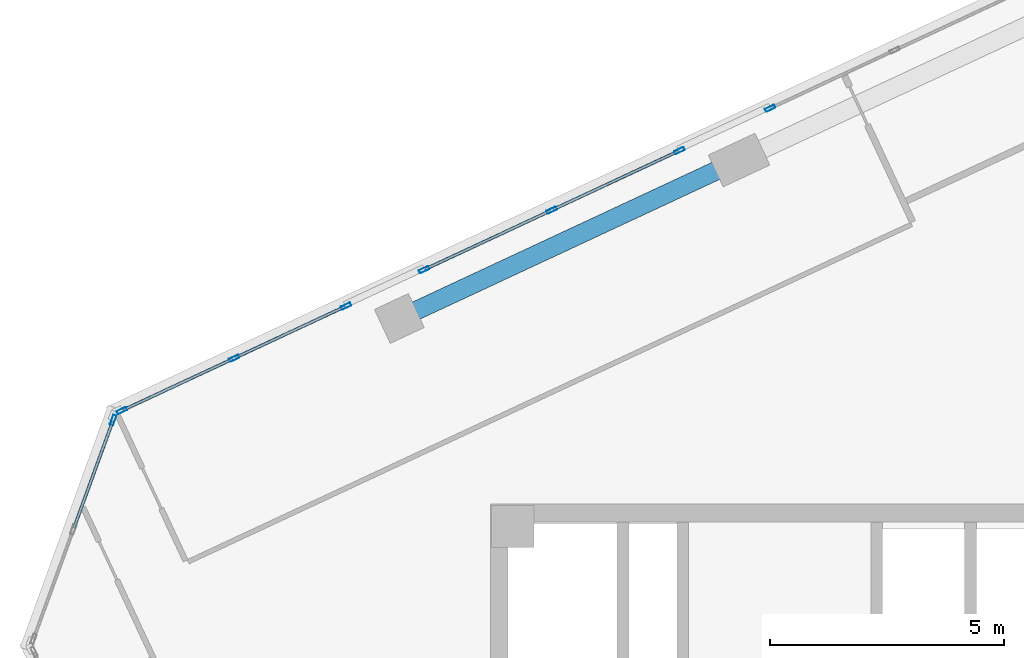
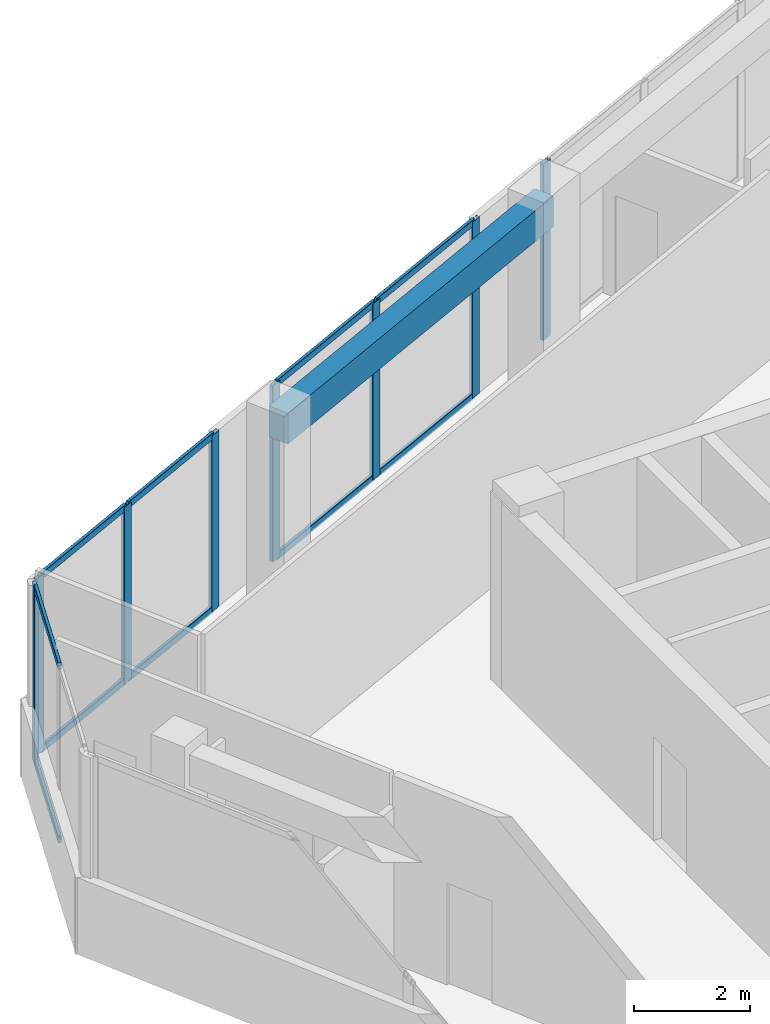
# One storey, part 9 of 17: 18 members, 1 beam, 4 elements without a shape of their own.
"""IFC4 building model written with IfcOpenShell, lengths in metres."""

import ifcopenshell
import ifcopenshell.guid

model = None  # the IFC model being written
_history = None  # IfcOwnerHistory: only IFC2X3 demands one
_inside = {}  # id of a spatial element -> (the spatial element, [elements in it])
_under = {}  # id of a project, library or spatial element -> (it, [spatial elements below it])
_declared = {}  # id of a project -> (the project, [libraries it declares])
_typed = {}  # id of a type object -> (the type object, [elements of that type])
_made_of = {}  # id of a material, layer set ... -> (it, [elements and type objects made of it])


def new_model(schema):
    """Start an empty IFC model of exactly this schema.

    Asked for "IFC4X3", IfcOpenShell would pick the latest addendum, in which some entities
    have other attributes; the version numbers below select the first issue.
    IFC2X3 requires an IfcOwnerHistory on every rooted entity: one is made here for all.
    """
    global model, _history
    if schema == "IFC4X3":
        model = ifcopenshell.file(schema_version=(4, 3, 0, 0))
    else:
        model = ifcopenshell.file(schema=schema)
    _inside.clear()
    _under.clear()
    _declared.clear()
    _typed.clear()
    _made_of.clear()
    _history = None
    if model.schema == "IFC2X3":
        org = make("IfcOrganization", Name="unknown")
        user = make(
            "IfcPersonAndOrganization",
            ThePerson=make("IfcPerson", FamilyName="unknown"),
            TheOrganization=org,
        )
        app = make(
            "IfcApplication",
            ApplicationDeveloper=org,
            Version="unknown",
            ApplicationFullName="unknown",
            ApplicationIdentifier="unknown",
        )
        _history = make(
            "IfcOwnerHistory",
            OwningUser=user,
            OwningApplication=app,
            ChangeAction="ADDED",
            CreationDate=0,
        )
    return model


def make(cls, **values):
    """One entity of the class cls with the attributes given. An attribute that is None is left unset."""
    return model.create_entity(
        cls, **{name: value for name, value in values.items() if value is not None}
    )


def rooted(cls, **values):
    """An entity with a GlobalId (a new one), such as an element, a storey or a relation."""
    return make(cls, GlobalId=ifcopenshell.guid.new(), OwnerHistory=_history, **values)


def si_unit(unit_type, name, prefix=None):
    """IfcSIUnit, for example si_unit("LENGTHUNIT", "METRE", prefix="MILLI")."""
    return make("IfcSIUnit", UnitType=unit_type, Prefix=prefix, Name=name)


def assignment(units):
    """IfcUnitAssignment: the units of a project."""
    return None if units is None else make("IfcUnitAssignment", Units=units)


def point(xyz):
    """IfcCartesianPoint."""
    return None if xyz is None else make("IfcCartesianPoint", Coordinates=xyz)


def direction(xyz):
    """IfcDirection."""
    return None if xyz is None else make("IfcDirection", DirectionRatios=xyz)


def frame(location, z_axis=None, x_axis=None):
    """IfcAxis2Placement3D, a coordinate frame: its origin and axes. An axis left out is left unset."""
    return make(
        "IfcAxis2Placement3D",
        Location=point(location),
        Axis=direction(z_axis),
        RefDirection=direction(x_axis),
    )


def frame_2d(location, x_axis=None):
    """IfcAxis2Placement2D, a coordinate frame in the plane: its origin and x axis."""
    return make(
        "IfcAxis2Placement2D", Location=point(location), RefDirection=direction(x_axis)
    )


def origin():
    """The frame at (0, 0, 0) with its axes left unset."""
    return frame((0.0, 0.0, 0.0))


def origin_2d():
    """The frame at (0, 0) in the plane with its x axis left unset."""
    return frame_2d((0.0, 0.0))


def place(relative_to, where):
    """IfcLocalPlacement: puts the frame where relative to a parent placement (None: the world)."""
    return make(
        "IfcLocalPlacement", PlacementRelTo=relative_to, RelativePlacement=where
    )


def context(
    kind, dimensions, precision=None, world=None, true_north=None, identifier=None
):
    """IfcGeometricRepresentationContext, for example the 3D "Model" context."""
    return make(
        "IfcGeometricRepresentationContext",
        ContextIdentifier=identifier,
        ContextType=kind,
        CoordinateSpaceDimension=dimensions,
        Precision=precision,
        WorldCoordinateSystem=world,
        TrueNorth=true_north,
    )


def subcontext(parent, identifier, kind, view, scale=None):
    """IfcGeometricRepresentationSubContext, for example "Body" below "Model"."""
    return make(
        "IfcGeometricRepresentationSubContext",
        ContextIdentifier=identifier,
        ContextType=kind,
        ParentContext=parent,
        TargetScale=scale,
        TargetView=view,
    )


def project(units=None, contexts=None):
    """IfcProject with its units and contexts."""
    return rooted(
        "IfcProject",
        Name="project",
        RepresentationContexts=contexts,
        UnitsInContext=assignment(units),
    )


def spatial(cls, under=None, at=None, **own):
    """A site, building, storey or space (cls), placed at a placement, below another one or the project."""
    s = rooted(cls, ObjectPlacement=at, **own)
    if under is not None:
        _under.setdefault(under.id(), (under, []))[1].append(s)
    return s


def profile(cls, at=None, kind="AREA", **sizes):
    """A parametric profile (cls). Its sizes go by their IFC names, for example OverallWidth=200.0."""
    return make(cls, ProfileType=kind, Position=at, **sizes)


def rectangle(**sizes):
    """IfcRectangleProfileDef."""
    return profile("IfcRectangleProfileDef", **sizes)


def hollow_rectangle(**sizes):
    """IfcRectangleHollowProfileDef."""
    return profile("IfcRectangleHollowProfileDef", **sizes)


def extrude(swept, where, along, depth):
    """IfcExtrudedAreaSolid: the profile swept, set in the frame where, extruded along a direction by depth."""
    return make(
        "IfcExtrudedAreaSolid",
        SweptArea=swept,
        Position=where,
        ExtrudedDirection=direction(along),
        Depth=depth,
    )


def shape(context_of_items, identifier, shape_type, items):
    """IfcShapeRepresentation: the items that make up one representation, for example the "Body"."""
    return make(
        "IfcShapeRepresentation",
        ContextOfItems=context_of_items,
        RepresentationIdentifier=identifier,
        RepresentationType=shape_type,
        Items=items,
    )


def source(mapping_origin, context_of_items, identifier, shape_type, items):
    """IfcRepresentationMap: a shape defined once, which mapped items show again and again."""
    return make(
        "IfcRepresentationMap",
        MappingOrigin=mapping_origin,
        MappedRepresentation=shape(context_of_items, identifier, shape_type, items),
    )


def transform(
    local_origin,
    x_axis=None,
    y_axis=None,
    z_axis=None,
    scale=None,
    scale2=None,
    scale3=None,
    uniform=True,
):
    """IfcCartesianTransformationOperator3D, or its non-uniform kind. x_axis, y_axis, z_axis: its Axis1, 2, 3."""
    if uniform:
        return make(
            "IfcCartesianTransformationOperator3D",
            Axis1=direction(x_axis),
            Axis2=direction(y_axis),
            LocalOrigin=point(local_origin),
            Scale=scale,
            Axis3=direction(z_axis),
        )
    return make(
        "IfcCartesianTransformationOperator3DnonUniform",
        Axis1=direction(x_axis),
        Axis2=direction(y_axis),
        LocalOrigin=point(local_origin),
        Scale=scale,
        Axis3=direction(z_axis),
        Scale2=scale2,
        Scale3=scale3,
    )


def mapped(mapping_source, mapping_target):
    """IfcMappedItem: shows the shape of a source again, moved by a transform."""
    return make(
        "IfcMappedItem", MappingSource=mapping_source, MappingTarget=mapping_target
    )


def material(Name=None, Category=None):
    """IfcMaterial."""
    return make("IfcMaterial", Name=Name, Category=Category)


def material_profile(
    of_material, cross_section, Name=None, Category=None, Priority=None
):
    """IfcMaterialProfile: a cross section and its material."""
    return make(
        "IfcMaterialProfile",
        Name=Name,
        Material=of_material,
        Profile=cross_section,
        Priority=Priority,
        Category=Category,
    )


def profile_set(profiles, Name=None, composite=None):
    """IfcMaterialProfileSet."""
    return make(
        "IfcMaterialProfileSet",
        Name=Name,
        MaterialProfiles=profiles,
        CompositeProfile=composite,
    )


def made_of(thing, what):
    """Note that an element or type object is made of a material, layer set ...; save() writes the relation."""
    if what is not None:
        _made_of.setdefault(what.id(), (what, []))[1].append(thing)
    return thing


def type_object(cls, material=None, **own):
    """A type object (cls), such as IfcWallType, which elements share."""
    return made_of(rooted(cls, **own), material)


def element(
    cls,
    number,
    at=None,
    inside=None,
    cuts=None,
    type_object=None,
    material=None,
    context=None,
    identifier="Body",
    shape_type=None,
    held_by="IfcProductDefinitionShape",
    body=None,
    shapes=None,
    **own,
):
    """One element of the class cls, such as IfcWall. Its Tag is "e" and its number.

    at: its placement. inside: the storey or other place that contains it. cuts: it is an
    opening in that element (IfcRelVoidsElement). A single representation is given by context,
    identifier, shape_type and body (its items); several are given by shapes. held_by: the class
    of the entity that holds the representations. save() writes the other relations.
    """
    e = rooted(cls, Tag="e%d" % number, ObjectPlacement=at, **own)
    if body is not None:
        shapes = [shape(context, identifier, shape_type, body)]
    if shapes is not None:
        e.Representation = make(held_by, Representations=shapes)
    if inside is not None:
        _inside.setdefault(inside.id(), (inside, []))[1].append(e)
    if cuts is not None:
        rooted(
            "IfcRelVoidsElement", RelatingBuildingElement=cuts, RelatedOpeningElement=e
        )
    if type_object is not None:
        _typed.setdefault(type_object.id(), (type_object, []))[1].append(e)
    return made_of(e, material)


def aggregate(whole, parts):
    """IfcRelAggregates: a whole, such as a stair, and the parts it consists of."""
    return rooted("IfcRelAggregates", RelatingObject=whole, RelatedObjects=parts)


def save(model, path):
    """Write the relations noted so far, then the file.

    IfcRelAggregates (storeys below a building ...), IfcRelContainedInSpatialStructure (elements
    in a storey), IfcRelDefinesByType, IfcRelAssociatesMaterial and IfcRelDeclares: one each for
    every whole, place, type object, material and project.
    """
    for whole, parts in _under.values():
        aggregate(whole, parts)
    for where, things in _inside.values():
        rooted(
            "IfcRelContainedInSpatialStructure",
            RelatedElements=things,
            RelatingStructure=where,
        )
    for kind, things in _typed.values():
        rooted("IfcRelDefinesByType", RelatedObjects=things, RelatingType=kind)
    for what, things in _made_of.values():
        rooted("IfcRelAssociatesMaterial", RelatedObjects=things, RelatingMaterial=what)
    for by, libraries in _declared.values():
        rooted("IfcRelDeclares", RelatingContext=by, RelatedDefinitions=libraries)
    model.write(path)


model = new_model("IFC4")

# Units and contexts
model_context = context("Model", 3, precision=1e-05, world=origin(), true_north=direction((0.0, 1.0)))
body_context = subcontext(model_context, "Body", "Model", "MODEL_VIEW")
ifc_project = project(units=[si_unit("LENGTHUNIT", "METRE"), si_unit("AREAUNIT", "SQUARE_METRE"), si_unit("VOLUMEUNIT", "CUBIC_METRE"), si_unit("PLANEANGLEUNIT", "RADIAN"), si_unit("MASSUNIT", "GRAM", prefix="KILO")], contexts=[model_context])

# Site, building, storey
site_placement = place(None, origin())
site = spatial("IfcSite", under=ifc_project, at=site_placement, CompositionType="ELEMENT")
building_placement = place(site_placement, origin())
building = spatial("IfcBuilding", under=site, at=building_placement, Name="Torre Montelarca", CompositionType="ELEMENT")
storey_placement = place(building_placement, frame((0.0, 0.0, 340.800048828125)))
storey = spatial("IfcBuildingStorey", under=building, at=storey_placement, Name="L77", CompositionType="ELEMENT", Elevation=340.800048828125)

# Beam
ifc_material_1 = material(Name="Concrete C40/50", Category="concrete")
ifc_material_profile_1 = material_profile(ifc_material_1, rectangle(XDim=0.39990234375, YDim=0.64990234375, at=origin_2d()), Name="RCB400X650", Category="concrete")
ifc_profile_set_1 = profile_set([ifc_material_profile_1], Name="Concrete C40/50")
beam_type = type_object("IfcBeamType", Name="BM-SP-RC650-EXT", PredefinedType="SPANDREL", material=ifc_profile_set_1)
shared_shape_1 = source(origin(), body_context, "Body", "SweptSolid", [
    extrude(rectangle(XDim=0.39990234375, YDim=0.64990234375, at=origin_2d()), origin(), (0.0, 0.0, 1.0), 8.0),
])
beam_placement = place(storey_placement, frame((7.12841796875, 43.890380859375, 3.635009765625), z_axis=(0.906312519031, 0.422608113797, 0.0), x_axis=(-0.422608113797, 0.906312519031, 0.0)))
element("IfcBeam", 1, at=beam_placement, inside=storey, type_object=beam_type, Name="L77 Grid Girder Y 24.0-32.0 at X=4.7", PredefinedType="SPANDREL", context=body_context, shape_type="MappedRepresentation", body=[
    mapped(shared_shape_1, transform((0.0, 0.0, 0.0), scale=1.0)),
])

# Curtain wall, member
ifc_material_2 = material(Name="Insulated low-E laminated glass", Category="glass")
curtain_wall_type = type_object("IfcCurtainWallType", Name="CW-SYS-Z4", PredefinedType="USERDEFINED", material=ifc_material_2)
curtain_wall_1_placement = place(storey_placement, origin())
curtain_wall_1 = element("IfcCurtainWall", 2, at=curtain_wall_1_placement, inside=storey, type_object=curtain_wall_type, Name="L77 Curtain Wall Run CW-T3-L77-E10-B1", ObjectType="UNITISED GLAZING", PredefinedType="USERDEFINED")
ifc_material_3 = material(Name="Anodised aluminium AA 6063-T6", Category="aluminium")
ifc_material_profile_2 = material_profile(ifc_material_3, hollow_rectangle(XDim=0.074951171875, YDim=0.219970703125, WallThickness=0.0048828125, InnerFilletRadius=0.0048828125, OuterFilletRadius=0.010009765625, at=origin_2d()), Name="ALU75X220X5", Category="aluminium")
ifc_profile_set_2 = profile_set([ifc_material_profile_2], Name="Anodised aluminium AA 6063-T6")
member_type_1 = type_object("IfcMemberType", Name="CWM-ALU220", PredefinedType="MULLION", material=ifc_profile_set_2)
shared_shape_2 = source(origin(), body_context, "Body", "SweptSolid", [
    extrude(hollow_rectangle(XDim=0.074951171875, YDim=0.219970703125, WallThickness=0.0048828125, InnerFilletRadius=0.0048828125, OuterFilletRadius=0.010009765625, at=origin_2d()), origin(), (0.0, 0.0, 1.0), 3.719970703125),
])
member_1_placement = place(storey_placement, frame((15.0419921875, 48.375, 0.0), z_axis=(0.0, 0.0, 1.0), x_axis=(0.422615406611, -0.9063091184, 0.0)))
member_1 = element("IfcMember", 3, at=member_1_placement, type_object=member_type_1, Name="CW mullion 3", PredefinedType="MULLION", context=body_context, shape_type="MappedRepresentation", body=[
    mapped(shared_shape_2, transform((0.0, 0.0, 0.0), scale=1.0)),
])
aggregate(curtain_wall_1, [member_1])

# Curtain wall, members
curtain_wall_2_placement = place(storey_placement, origin())
curtain_wall_2 = element("IfcCurtainWall", 4, at=curtain_wall_2_placement, inside=storey, type_object=curtain_wall_type, Name="L77 Curtain Wall Run CW-T3-L77-E10-B2", ObjectType="UNITISED GLAZING", PredefinedType="USERDEFINED")
member_2_placement = place(storey_placement, frame((13.107177734375, 47.47265625, 0.0), z_axis=(0.0, 0.0, 1.0), x_axis=(0.422626558135, -0.906303918318, 0.0)))
member_2 = element("IfcMember", 5, at=member_2_placement, type_object=member_type_1, Name="CW mullion 1", PredefinedType="MULLION", context=body_context, shape_type="MappedRepresentation", body=[
    mapped(shared_shape_2, transform((0.0, 0.0, 0.0), scale=1.0)),
])
member_3_placement = place(storey_placement, frame((10.38134765625, 46.20166015625, 0.0), z_axis=(0.0, 0.0, 1.0), x_axis=(0.422626558135, -0.906303918318, 0.0)))
member_3 = element("IfcMember", 6, at=member_3_placement, type_object=member_type_1, Name="CW mullion 2", PredefinedType="MULLION", context=body_context, shape_type="MappedRepresentation", body=[
    mapped(shared_shape_2, transform((0.0, 0.0, 0.0), scale=1.0)),
])
member_4_placement = place(storey_placement, frame((7.65576171875, 44.9306640625, 0.0), z_axis=(0.0, 0.0, 1.0), x_axis=(0.422626558135, -0.906303918318, 0.0)))
member_4 = element("IfcMember", 7, at=member_4_placement, type_object=member_type_1, Name="CW mullion 3", PredefinedType="MULLION", context=body_context, shape_type="MappedRepresentation", body=[
    mapped(shared_shape_2, transform((0.0, 0.0, 0.0), scale=1.0)),
])

curtain_wall_3_placement = place(storey_placement, origin())
curtain_wall_3 = element("IfcCurtainWall", 8, at=curtain_wall_3_placement, inside=storey, type_object=curtain_wall_type, Name="L77 Curtain Wall Run CW-T3-L77-E10-B3", ObjectType="UNITISED GLAZING", PredefinedType="USERDEFINED")
member_5_placement = place(storey_placement, frame((5.99267578125, 44.155029296875, 0.0), z_axis=(0.0, 0.0, 1.0), x_axis=(0.422602223796, -0.90631526548, 0.0)))
member_5 = element("IfcMember", 9, at=member_5_placement, type_object=member_type_1, Name="CW mullion 1", PredefinedType="MULLION", context=body_context, shape_type="MappedRepresentation", body=[
    mapped(shared_shape_2, transform((0.0, 0.0, 0.0), scale=1.0)),
])
member_6_placement = place(storey_placement, frame((3.600341796875, 43.03955078125, 0.0), z_axis=(0.0, 0.0, 1.0), x_axis=(0.422602223796, -0.90631526548, 0.0)))
member_6 = element("IfcMember", 10, at=member_6_placement, type_object=member_type_1, Name="CW mullion 2", PredefinedType="MULLION", context=body_context, shape_type="MappedRepresentation", body=[
    mapped(shared_shape_2, transform((0.0, 0.0, 0.0), scale=1.0)),
])
member_7_placement = place(storey_placement, frame((1.2080078125, 41.924072265625, 0.0), z_axis=(0.0, 0.0, 1.0), x_axis=(0.422602223796, -0.90631526548, 0.0)))
member_7 = element("IfcMember", 11, at=member_7_placement, type_object=member_type_1, Name="CW mullion 3", PredefinedType="MULLION", context=body_context, shape_type="MappedRepresentation", body=[
    mapped(shared_shape_2, transform((0.0, 0.0, 0.0), scale=1.0)),
])

curtain_wall_4_placement = place(storey_placement, origin())
curtain_wall_4 = element("IfcCurtainWall", 12, at=curtain_wall_4_placement, inside=storey, type_object=curtain_wall_type, Name="L77 Curtain Wall Run CW-T3-L77-E11-B1", ObjectType="UNITISED GLAZING", PredefinedType="USERDEFINED")
member_8_placement = place(storey_placement, frame((1.021484375, 41.72021484375, 0.0), z_axis=(0.0, 0.0, 1.0), x_axis=(0.939694365175, -0.342015350618, 0.0)))
member_8 = element("IfcMember", 13, at=member_8_placement, type_object=member_type_1, Name="CW mullion 1", PredefinedType="MULLION", context=body_context, shape_type="MappedRepresentation", body=[
    mapped(shared_shape_2, transform((0.0, 0.0, 0.0), scale=1.0)),
])
ifc_material_profile_3 = material_profile(ifc_material_3, hollow_rectangle(XDim=0.06494140625, YDim=0.139892578125, WallThickness=0.00390625, InnerFilletRadius=0.00390625, OuterFilletRadius=0.008056640625, at=origin_2d()), Name="ALU65X140X4", Category="aluminium")
ifc_profile_set_3 = profile_set([ifc_material_profile_3], Name="Anodised aluminium AA 6063-T6")
member_type_2 = type_object("IfcMemberType", Name="CWT-ALU140", PredefinedType="USERDEFINED", material=ifc_profile_set_3)
shared_shape_3 = source(origin(), body_context, "Body", "SweptSolid", [
    extrude(hollow_rectangle(XDim=0.06494140625, YDim=0.139892578125, WallThickness=0.00390625, InnerFilletRadius=0.00390625, OuterFilletRadius=0.008056640625, at=origin_2d()), origin(), (0.0, 0.0, 1.0), 2.40869140625),
])
member_9_placement = place(storey_placement, frame((1.008544921875, 41.68505859375, 0.032470703125), z_axis=(-0.341987202353, -0.939704609666, 0.0), x_axis=(0.939704609666, -0.341987202353, 0.0)))
member_9 = element("IfcMember", 14, at=member_9_placement, type_object=member_type_2, Name="CW transom 1.1", ObjectType="TRANSOM", PredefinedType="USERDEFINED", context=body_context, shape_type="MappedRepresentation", body=[
    mapped(shared_shape_3, transform((0.0, 0.0, 0.0), scale=1.0)),
])
member_10_placement = place(storey_placement, frame((1.008544921875, 41.68505859375, 3.6875), z_axis=(-0.341987202353, -0.939704609666, 0.0), x_axis=(0.939704609666, -0.341987202353, 0.0)))
member_10 = element("IfcMember", 15, at=member_10_placement, type_object=member_type_2, Name="CW transom 1.2", ObjectType="TRANSOM", PredefinedType="USERDEFINED", context=body_context, shape_type="MappedRepresentation", body=[
    mapped(shared_shape_3, transform((0.0, 0.0, 0.0), scale=1.0)),
])
aggregate(curtain_wall_4, [member_8, member_9, member_10])

# Member
shared_shape_4 = source(origin(), body_context, "Body", "SweptSolid", [
    extrude(hollow_rectangle(XDim=0.06494140625, YDim=0.139892578125, WallThickness=0.00390625, InnerFilletRadius=0.00390625, OuterFilletRadius=0.008056640625, at=origin_2d()), origin(), (0.0, 0.0, 1.0), 2.9326171875),
])
member_11_placement = place(storey_placement, frame((13.0732421875, 47.456787109375, 0.032470703125), z_axis=(-0.906329834254, -0.422570978109, 0.0), x_axis=(0.422570978109, -0.906329834254, 0.0)))
member_11 = element("IfcMember", 16, at=member_11_placement, type_object=member_type_2, Name="CW transom 1.1", ObjectType="TRANSOM", PredefinedType="USERDEFINED", context=body_context, shape_type="MappedRepresentation", body=[
    mapped(shared_shape_4, transform((0.0, 0.0, 0.0), scale=1.0)),
])

member_12_placement = place(storey_placement, frame((13.0732421875, 47.456787109375, 3.6875), z_axis=(-0.906329834254, -0.422570978109, 0.0), x_axis=(0.422570978109, -0.906329834254, 0.0)))
member_12 = element("IfcMember", 17, at=member_12_placement, type_object=member_type_2, Name="CW transom 1.2", ObjectType="TRANSOM", PredefinedType="USERDEFINED", context=body_context, shape_type="MappedRepresentation", body=[
    mapped(shared_shape_4, transform((0.0, 0.0, 0.0), scale=1.0)),
])

member_13_placement = place(storey_placement, frame((10.347412109375, 46.185791015625, 0.032470703125), z_axis=(-0.906283078045, -0.422671246301, 0.0), x_axis=(0.422671246301, -0.906283078045, 0.0)))
member_13 = element("IfcMember", 18, at=member_13_placement, type_object=member_type_2, Name="CW transom 2.1", ObjectType="TRANSOM", PredefinedType="USERDEFINED", context=body_context, shape_type="MappedRepresentation", body=[
    mapped(shared_shape_4, transform((0.0, 0.0, 0.0), scale=1.0)),
])

member_14_placement = place(storey_placement, frame((10.347412109375, 46.185791015625, 3.6875), z_axis=(-0.906283078045, -0.422671246301, 0.0), x_axis=(0.422671246301, -0.906283078045, 0.0)))
member_14 = element("IfcMember", 19, at=member_14_placement, type_object=member_type_2, Name="CW transom 2.2", ObjectType="TRANSOM", PredefinedType="USERDEFINED", context=body_context, shape_type="MappedRepresentation", body=[
    mapped(shared_shape_4, transform((0.0, 0.0, 0.0), scale=1.0)),
])

aggregate(curtain_wall_2, [member_2, member_3, member_4, member_11, member_12, member_13, member_14])

shared_shape_5 = source(origin(), body_context, "Body", "SweptSolid", [
    extrude(hollow_rectangle(XDim=0.06494140625, YDim=0.139892578125, WallThickness=0.00390625, InnerFilletRadius=0.00390625, OuterFilletRadius=0.008056640625, at=origin_2d()), origin(), (0.0, 0.0, 1.0), 2.564697265625),
])
member_15_placement = place(storey_placement, frame((5.958740234375, 44.13916015625, 0.032470703125), z_axis=(-0.906333862765, -0.422562337655, 0.0), x_axis=(0.422562337655, -0.906333862765, 0.0)))
member_15 = element("IfcMember", 20, at=member_15_placement, type_object=member_type_2, Name="CW transom 1.1", ObjectType="TRANSOM", PredefinedType="USERDEFINED", context=body_context, shape_type="MappedRepresentation", body=[
    mapped(shared_shape_5, transform((0.0, 0.0, 0.0), scale=1.0)),
])

member_16_placement = place(storey_placement, frame((5.958740234375, 44.13916015625, 3.6875), z_axis=(-0.906333862765, -0.422562337655, 0.0), x_axis=(0.422562337655, -0.906333862765, 0.0)))
member_16 = element("IfcMember", 21, at=member_16_placement, type_object=member_type_2, Name="CW transom 1.2", ObjectType="TRANSOM", PredefinedType="USERDEFINED", context=body_context, shape_type="MappedRepresentation", body=[
    mapped(shared_shape_5, transform((0.0, 0.0, 0.0), scale=1.0)),
])

member_17_placement = place(storey_placement, frame((3.56640625, 43.023681640625, 0.032470703125), z_axis=(-0.906333862765, -0.422562337655, 0.0), x_axis=(0.422562337655, -0.906333862765, 0.0)))
member_17 = element("IfcMember", 22, at=member_17_placement, type_object=member_type_2, Name="CW transom 2.1", ObjectType="TRANSOM", PredefinedType="USERDEFINED", context=body_context, shape_type="MappedRepresentation", body=[
    mapped(shared_shape_5, transform((0.0, 0.0, 0.0), scale=1.0)),
])

member_18_placement = place(storey_placement, frame((3.56640625, 43.023681640625, 3.6875), z_axis=(-0.906333862765, -0.422562337655, 0.0), x_axis=(0.422562337655, -0.906333862765, 0.0)))
member_18 = element("IfcMember", 23, at=member_18_placement, type_object=member_type_2, Name="CW transom 2.2", ObjectType="TRANSOM", PredefinedType="USERDEFINED", context=body_context, shape_type="MappedRepresentation", body=[
    mapped(shared_shape_5, transform((0.0, 0.0, 0.0), scale=1.0)),
])

aggregate(curtain_wall_3, [member_5, member_6, member_7, member_15, member_16, member_17, member_18])

save(model, "model.ifc")
